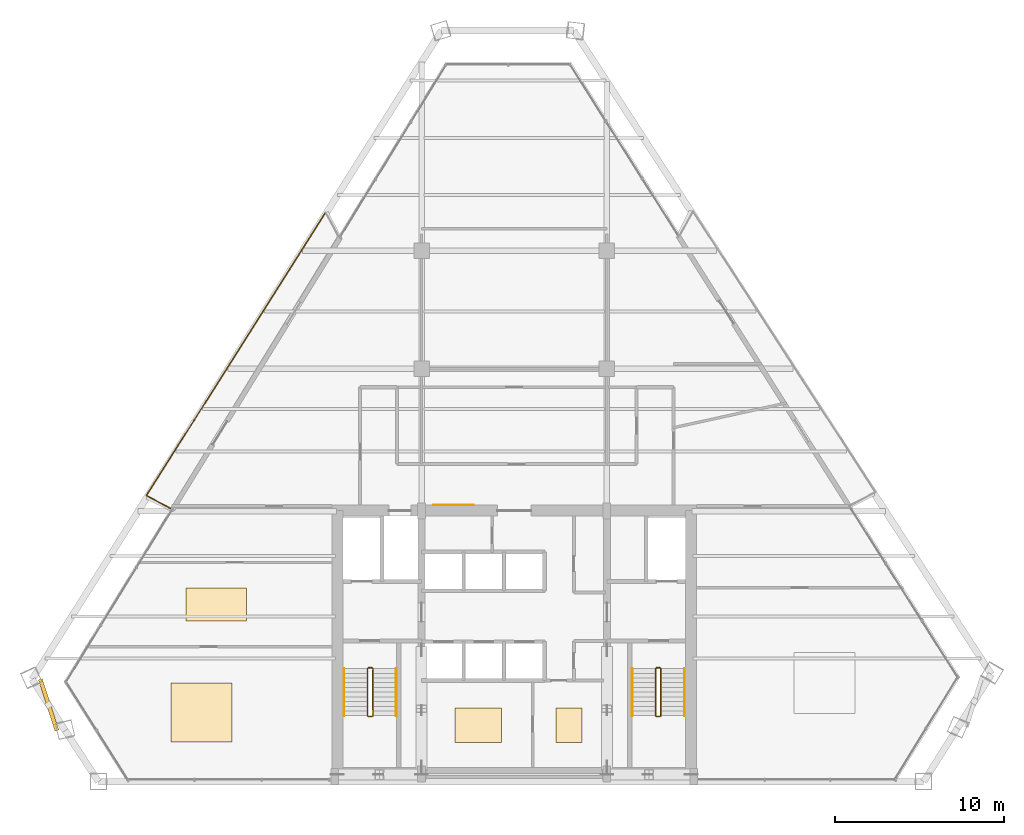
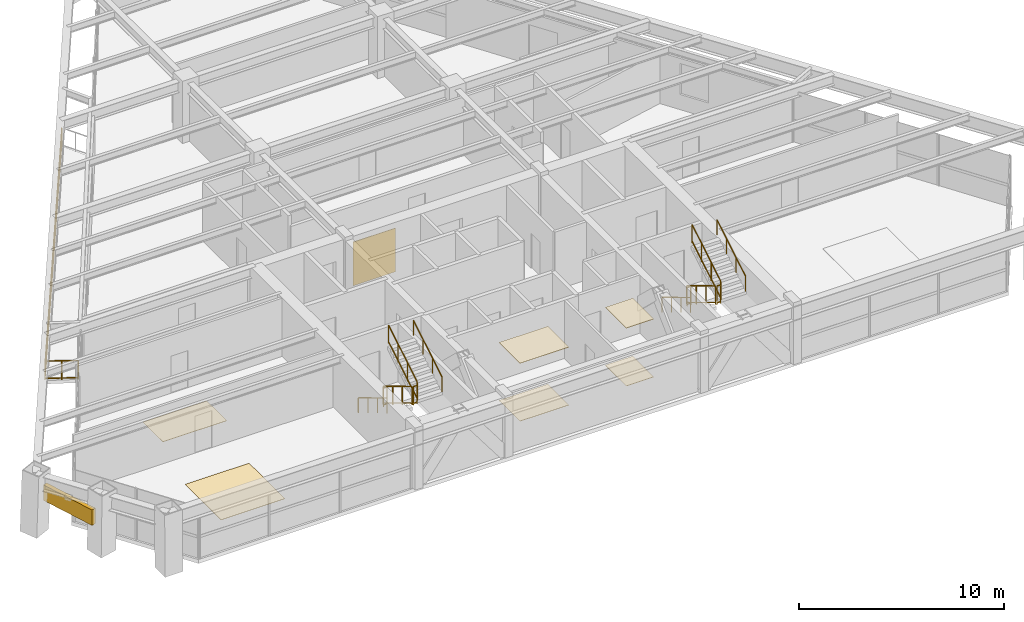
# One storey, part 14 of 15: 14 railings, 7 coverings, 1 shading device.
"""IFC4 building model written with IfcOpenShell, lengths in metres."""

from ifc_helpers import new_model, si_unit, direction, frame, origin, origin_2d, place, context, subcontext, project, spatial, rectangle, extrude, source, transform, mapped, material, layer, layer_set, type_object, type_shapes, element, save


model = new_model("IFC4")

# Units and contexts
model_context = context("Model", 3, precision=1e-05, world=origin(), true_north=direction((0.0, 1.0)))
body_context = subcontext(model_context, "Body", "Model", "MODEL_VIEW")
ifc_project = project(units=[si_unit("LENGTHUNIT", "METRE"), si_unit("AREAUNIT", "SQUARE_METRE"), si_unit("VOLUMEUNIT", "CUBIC_METRE"), si_unit("PLANEANGLEUNIT", "RADIAN"), si_unit("MASSUNIT", "GRAM", prefix="KILO")], contexts=[model_context])

# Site, building, storey
site_placement = place(None, origin())
site = spatial("IfcSite", under=ifc_project, at=site_placement, CompositionType="ELEMENT")
building_placement = place(site_placement, origin())
building = spatial("IfcBuilding", under=site, at=building_placement, Name="Varnakhor Terracotta Tower", CompositionType="ELEMENT")
storey_placement = place(building_placement, frame((0.0, 0.0, 193.199951171875)))
storey = spatial("IfcBuildingStorey", under=building, at=storey_placement, Name="L49", CompositionType="ELEMENT", Elevation=193.199951171875)

# Railings
ifc_material_1 = material(Name="Stainless Steel & Laminated Glass Guardrail", Category="steel")
railing_type_1 = type_object("IfcRailingType", Name="RLG-LOGGIA-GUARD-1150", PredefinedType="GUARDRAIL", material=ifc_material_1)
railing_1_placement = place(storey_placement, frame((-20.3896484375, 16.208251953125, 0.0)))
element("IfcRailing", 1, at=railing_1_placement, inside=storey, type_object=railing_type_1, Name="L49 W Loggia Glass Guard 1", PredefinedType="GUARDRAIL", context=body_context, shape_type="SweptSolid", body=[
    extrude(rectangle(XDim=0.048095703125, YDim=0.048095703125, at=origin_2d()), frame((0.0, 0.0, 1.1259765625), z_axis=(-0.882127897806, 0.471009948846, 0.0), x_axis=(-0.471009948846, -0.882127897806, 0.0)), (0.0, 0.0, 1.0), 1.622314453125),
    extrude(rectangle(XDim=0.048095703125, YDim=0.048095703125, at=origin_2d()), frame((0.0, 0.0, 0.10009765625), z_axis=(-0.882127897806, 0.471009948846, 0.0), x_axis=(-0.471009948846, -0.882127897806, 0.0)), (0.0, 0.0, 1.0), 1.622314453125),
    extrude(rectangle(XDim=0.0419921875, YDim=0.0419921875, at=origin_2d()), origin(), (0.0, 0.0, 1.0), 1.101806640625),
    extrude(rectangle(XDim=0.0419921875, YDim=0.0419921875, at=origin_2d()), frame((-0.715576171875, 0.382080078125, 0.0)), (0.0, 0.0, 1.0), 1.101806640625),
    extrude(rectangle(XDim=0.0419921875, YDim=0.0419921875, at=origin_2d()), frame((-1.43115234375, 0.76416015625, 0.0)), (0.0, 0.0, 1.0), 1.101806640625),
])
railing_2_placement = place(storey_placement, frame((-21.82080078125, 16.972412109375, 0.0)))
element("IfcRailing", 2, at=railing_2_placement, inside=storey, type_object=railing_type_1, Name="L49 W Loggia Glass Guard 2", PredefinedType="GUARDRAIL", context=body_context, shape_type="SweptSolid", body=[
    extrude(rectangle(XDim=0.048095703125, YDim=0.048095703125, at=origin_2d()), frame((0.0, 0.0, 1.1259765625), z_axis=(0.534940665573, 0.844889628482, 0.0), x_axis=(-0.844889628482, 0.534940665573, 0.0)), (0.0, 0.0, 1.0), 19.863037109375),
    extrude(rectangle(XDim=0.048095703125, YDim=0.048095703125, at=origin_2d()), frame((0.0, 0.0, 0.10009765625), z_axis=(0.534940665573, 0.844889628482, 0.0), x_axis=(-0.844889628482, 0.534940665573, 0.0)), (0.0, 0.0, 1.0), 19.863037109375),
    extrude(rectangle(XDim=0.0419921875, YDim=0.0419921875, at=origin_2d()), origin(), (0.0, 0.0, 1.0), 1.101806640625),
    extrude(rectangle(XDim=0.0419921875, YDim=0.0419921875, at=origin_2d()), frame((0.708251953125, 1.118896484375, 0.0)), (0.0, 0.0, 1.0), 1.101806640625),
    extrude(rectangle(XDim=0.0419921875, YDim=0.0419921875, at=origin_2d()), frame((1.416748046875, 2.237548828125, 0.0)), (0.0, 0.0, 1.0), 1.101806640625),
    extrude(rectangle(XDim=0.0419921875, YDim=0.0419921875, at=origin_2d()), frame((2.125, 3.3564453125, 0.0)), (0.0, 0.0, 1.0), 1.101806640625),
    extrude(rectangle(XDim=0.0419921875, YDim=0.0419921875, at=origin_2d()), frame((2.83349609375, 4.47509765625, 0.0)), (0.0, 0.0, 1.0), 1.101806640625),
    extrude(rectangle(XDim=0.0419921875, YDim=0.0419921875, at=origin_2d()), frame((3.541748046875, 5.593994140625, 0.0)), (0.0, 0.0, 1.0), 1.101806640625),
    extrude(rectangle(XDim=0.0419921875, YDim=0.0419921875, at=origin_2d()), frame((4.250244140625, 6.712890625, 0.0)), (0.0, 0.0, 1.0), 1.101806640625),
    extrude(rectangle(XDim=0.0419921875, YDim=0.0419921875, at=origin_2d()), frame((4.95849609375, 7.83154296875, 0.0)), (0.0, 0.0, 1.0), 1.101806640625),
    extrude(rectangle(XDim=0.0419921875, YDim=0.0419921875, at=origin_2d()), frame((5.6669921875, 8.950439453125, 0.0)), (0.0, 0.0, 1.0), 1.101806640625),
    extrude(rectangle(XDim=0.0419921875, YDim=0.0419921875, at=origin_2d()), frame((6.375244140625, 10.069091796875, 0.0)), (0.0, 0.0, 1.0), 1.101806640625),
    extrude(rectangle(XDim=0.0419921875, YDim=0.0419921875, at=origin_2d()), frame((7.083740234375, 11.18798828125, 0.0)), (0.0, 0.0, 1.0), 1.101806640625),
    extrude(rectangle(XDim=0.0419921875, YDim=0.0419921875, at=origin_2d()), frame((7.7919921875, 12.306884765625, 0.0)), (0.0, 0.0, 1.0), 1.101806640625),
    extrude(rectangle(XDim=0.0419921875, YDim=0.0419921875, at=origin_2d()), frame((8.50048828125, 13.425537109375, 0.0)), (0.0, 0.0, 1.0), 1.101806640625),
    extrude(rectangle(XDim=0.0419921875, YDim=0.0419921875, at=origin_2d()), frame((9.208740234375, 14.54443359375, 0.0)), (0.0, 0.0, 1.0), 1.101806640625),
    extrude(rectangle(XDim=0.0419921875, YDim=0.0419921875, at=origin_2d()), frame((9.917236328125, 15.6630859375, 0.0)), (0.0, 0.0, 1.0), 1.101806640625),
    extrude(rectangle(XDim=0.0419921875, YDim=0.0419921875, at=origin_2d()), frame((10.62548828125, 16.781982421875, 0.0)), (0.0, 0.0, 1.0), 1.101806640625),
])
ifc_material_2 = material(Name="Painted Steel Stairwell Guardrail", Category="steel")
railing_type_2 = type_object("IfcRailingType", Name="RLG-STAIR-GUARD-1120", PredefinedType="GUARDRAIL", material=ifc_material_2)
railing_3_placement = place(storey_placement, frame((-8.699951171875, 6.7099609375, 0.168212890625)))
element("IfcRailing", 3, at=railing_3_placement, inside=storey, type_object=railing_type_2, Name="L49 ST-1 stair guard 1", PredefinedType="GUARDRAIL", context=body_context, shape_type="SweptSolid", body=[
    extrude(rectangle(XDim=0.048095703125, YDim=0.048095703125, at=origin_2d()), frame((0.0, 0.0, 1.09619140625), z_axis=(0.0, -0.857242210791, 0.514913383045), x_axis=(1.0, 0.0, 0.0)), (0.0, 0.0, 1.0), 3.266357421875),
    extrude(rectangle(XDim=0.048095703125, YDim=0.048095703125, at=origin_2d()), frame((0.0, 0.0, 0.10009765625), z_axis=(0.0, -0.857242210791, 0.514913383045), x_axis=(1.0, 0.0, 0.0)), (0.0, 0.0, 1.0), 3.266357421875),
    extrude(rectangle(XDim=0.0419921875, YDim=0.0419921875, at=origin_2d()), origin(), (0.0, 0.0, 1.0), 1.072021484375),
    extrude(rectangle(XDim=0.0419921875, YDim=0.0419921875, at=origin_2d()), frame((0.0, -0.933349609375, 0.560546875)), (0.0, 0.0, 1.0), 1.072021484375),
    extrude(rectangle(XDim=0.0419921875, YDim=0.0419921875, at=origin_2d()), frame((0.0, -1.86669921875, 1.121337890625)), (0.0, 0.0, 1.0), 1.072021484375),
    extrude(rectangle(XDim=0.0419921875, YDim=0.0419921875, at=origin_2d()), frame((0.0, -2.800048828125, 1.681884765625)), (0.0, 0.0, 1.0), 1.072021484375),
])
railing_4_placement = place(storey_placement, frame((-8.64990234375, 3.860107421875, 1.85009765625)))
element("IfcRailing", 4, at=railing_4_placement, inside=storey, type_object=railing_type_2, Name="L49 ST-1 stair guard 2", PredefinedType="GUARDRAIL", context=body_context, shape_type="SweptSolid", body=[
    extrude(rectangle(XDim=0.048095703125, YDim=0.048095703125, at=origin_2d()), frame((0.0, 0.0, 1.09619140625), z_axis=(1.0, 0.0, 0.0), x_axis=(0.0, 1.0, 0.0)), (0.0, 0.0, 1.0), 0.199951171875),
    extrude(rectangle(XDim=0.048095703125, YDim=0.048095703125, at=origin_2d()), frame((0.0, 0.0, 0.10009765625), z_axis=(1.0, 0.0, 0.0), x_axis=(0.0, 1.0, 0.0)), (0.0, 0.0, 1.0), 0.199951171875),
    extrude(rectangle(XDim=0.0419921875, YDim=0.0419921875, at=origin_2d()), origin(), (0.0, 0.0, 1.0), 1.072021484375),
    extrude(rectangle(XDim=0.0419921875, YDim=0.0419921875, at=origin_2d()), frame((0.199951171875, 0.0, 0.0)), (0.0, 0.0, 1.0), 1.072021484375),
])
railing_5_placement = place(storey_placement, frame((-8.39990234375, 3.909912109375, 2.018310546875)))
element("IfcRailing", 5, at=railing_5_placement, inside=storey, type_object=railing_type_2, Name="L49 ST-1 stair guard 3", PredefinedType="GUARDRAIL", context=body_context, shape_type="SweptSolid", body=[
    extrude(rectangle(XDim=0.048095703125, YDim=0.048095703125, at=origin_2d()), frame((0.0, 0.0, 1.09619140625), z_axis=(0.0, 0.857275202839, 0.514858452973), x_axis=(-1.0, 0.0, 0.0)), (0.0, 0.0, 1.0), 3.26611328125),
    extrude(rectangle(XDim=0.048095703125, YDim=0.048095703125, at=origin_2d()), frame((0.0, 0.0, 0.10009765625), z_axis=(0.0, 0.857275202839, 0.514858452973), x_axis=(-1.0, 0.0, 0.0)), (0.0, 0.0, 1.0), 3.26611328125),
    extrude(rectangle(XDim=0.0419921875, YDim=0.0419921875, at=origin_2d()), origin(), (0.0, 0.0, 1.0), 1.072021484375),
    extrude(rectangle(XDim=0.0419921875, YDim=0.0419921875, at=origin_2d()), frame((0.0, 0.933349609375, 0.560546875)), (0.0, 0.0, 1.0), 1.072021484375),
    extrude(rectangle(XDim=0.0419921875, YDim=0.0419921875, at=origin_2d()), frame((0.0, 1.86669921875, 1.12109375)), (0.0, 0.0, 1.0), 1.072021484375),
    extrude(rectangle(XDim=0.0419921875, YDim=0.0419921875, at=origin_2d()), frame((0.0, 2.800048828125, 1.681640625)), (0.0, 0.0, 1.0), 1.072021484375),
])
railing_6_placement = place(storey_placement, frame((-8.64990234375, 6.760009765625, 0.0)))
element("IfcRailing", 6, at=railing_6_placement, inside=storey, type_object=railing_type_2, Name="L49 ST-1 stair guard 4", PredefinedType="GUARDRAIL", context=body_context, shape_type="SweptSolid", body=[
    extrude(rectangle(XDim=0.048095703125, YDim=0.048095703125, at=origin_2d()), frame((0.0, 0.0, 1.09619140625), z_axis=(1.0, 0.0, 0.0), x_axis=(0.0, 1.0, 0.0)), (0.0, 0.0, 1.0), 0.199951171875),
    extrude(rectangle(XDim=0.048095703125, YDim=0.048095703125, at=origin_2d()), frame((0.0, 0.0, 0.10009765625), z_axis=(1.0, 0.0, 0.0), x_axis=(0.0, 1.0, 0.0)), (0.0, 0.0, 1.0), 0.199951171875),
    extrude(rectangle(XDim=0.0419921875, YDim=0.0419921875, at=origin_2d()), origin(), (0.0, 0.0, 1.0), 1.072021484375),
    extrude(rectangle(XDim=0.0419921875, YDim=0.0419921875, at=origin_2d()), frame((0.199951171875, 0.0, 0.0)), (0.0, 0.0, 1.0), 1.072021484375),
])
railing_7_placement = place(storey_placement, frame((8.39990234375, 6.7099609375, 0.168212890625)))
element("IfcRailing", 7, at=railing_7_placement, inside=storey, type_object=railing_type_2, Name="L49 ST-2 stair guard 1", PredefinedType="GUARDRAIL", context=body_context, shape_type="SweptSolid", body=[
    extrude(rectangle(XDim=0.048095703125, YDim=0.048095703125, at=origin_2d()), frame((0.0, 0.0, 1.09619140625), z_axis=(0.0, -0.857242210791, 0.514913383045), x_axis=(1.0, 0.0, 0.0)), (0.0, 0.0, 1.0), 3.266357421875),
    extrude(rectangle(XDim=0.048095703125, YDim=0.048095703125, at=origin_2d()), frame((0.0, 0.0, 0.10009765625), z_axis=(0.0, -0.857242210791, 0.514913383045), x_axis=(1.0, 0.0, 0.0)), (0.0, 0.0, 1.0), 3.266357421875),
    extrude(rectangle(XDim=0.0419921875, YDim=0.0419921875, at=origin_2d()), origin(), (0.0, 0.0, 1.0), 1.072021484375),
    extrude(rectangle(XDim=0.0419921875, YDim=0.0419921875, at=origin_2d()), frame((0.0, -0.933349609375, 0.560546875)), (0.0, 0.0, 1.0), 1.072021484375),
    extrude(rectangle(XDim=0.0419921875, YDim=0.0419921875, at=origin_2d()), frame((0.0, -1.86669921875, 1.121337890625)), (0.0, 0.0, 1.0), 1.072021484375),
    extrude(rectangle(XDim=0.0419921875, YDim=0.0419921875, at=origin_2d()), frame((0.0, -2.800048828125, 1.681884765625)), (0.0, 0.0, 1.0), 1.072021484375),
])
railing_8_placement = place(storey_placement, frame((8.449951171875, 3.860107421875, 1.85009765625)))
element("IfcRailing", 8, at=railing_8_placement, inside=storey, type_object=railing_type_2, Name="L49 ST-2 stair guard 2", PredefinedType="GUARDRAIL", context=body_context, shape_type="SweptSolid", body=[
    extrude(rectangle(XDim=0.048095703125, YDim=0.048095703125, at=origin_2d()), frame((0.0, 0.0, 1.09619140625), z_axis=(1.0, 0.0, 0.0), x_axis=(0.0, 1.0, 0.0)), (0.0, 0.0, 1.0), 0.199951171875),
    extrude(rectangle(XDim=0.048095703125, YDim=0.048095703125, at=origin_2d()), frame((0.0, 0.0, 0.10009765625), z_axis=(1.0, 0.0, 0.0), x_axis=(0.0, 1.0, 0.0)), (0.0, 0.0, 1.0), 0.199951171875),
    extrude(rectangle(XDim=0.0419921875, YDim=0.0419921875, at=origin_2d()), origin(), (0.0, 0.0, 1.0), 1.072021484375),
    extrude(rectangle(XDim=0.0419921875, YDim=0.0419921875, at=origin_2d()), frame((0.199951171875, 0.0, 0.0)), (0.0, 0.0, 1.0), 1.072021484375),
])
railing_9_placement = place(storey_placement, frame((8.699951171875, 3.909912109375, 2.018310546875)))
element("IfcRailing", 9, at=railing_9_placement, inside=storey, type_object=railing_type_2, Name="L49 ST-2 stair guard 3", PredefinedType="GUARDRAIL", context=body_context, shape_type="SweptSolid", body=[
    extrude(rectangle(XDim=0.048095703125, YDim=0.048095703125, at=origin_2d()), frame((0.0, 0.0, 1.09619140625), z_axis=(0.0, 0.857275202839, 0.514858452973), x_axis=(-1.0, 0.0, 0.0)), (0.0, 0.0, 1.0), 3.26611328125),
    extrude(rectangle(XDim=0.048095703125, YDim=0.048095703125, at=origin_2d()), frame((0.0, 0.0, 0.10009765625), z_axis=(0.0, 0.857275202839, 0.514858452973), x_axis=(-1.0, 0.0, 0.0)), (0.0, 0.0, 1.0), 3.26611328125),
    extrude(rectangle(XDim=0.0419921875, YDim=0.0419921875, at=origin_2d()), origin(), (0.0, 0.0, 1.0), 1.072021484375),
    extrude(rectangle(XDim=0.0419921875, YDim=0.0419921875, at=origin_2d()), frame((0.0, 0.933349609375, 0.560546875)), (0.0, 0.0, 1.0), 1.072021484375),
    extrude(rectangle(XDim=0.0419921875, YDim=0.0419921875, at=origin_2d()), frame((0.0, 1.86669921875, 1.12109375)), (0.0, 0.0, 1.0), 1.072021484375),
    extrude(rectangle(XDim=0.0419921875, YDim=0.0419921875, at=origin_2d()), frame((0.0, 2.800048828125, 1.681640625)), (0.0, 0.0, 1.0), 1.072021484375),
])
railing_10_placement = place(storey_placement, frame((8.449951171875, 6.760009765625, 0.0)))
element("IfcRailing", 10, at=railing_10_placement, inside=storey, type_object=railing_type_2, Name="L49 ST-2 stair guard 4", PredefinedType="GUARDRAIL", context=body_context, shape_type="SweptSolid", body=[
    extrude(rectangle(XDim=0.048095703125, YDim=0.048095703125, at=origin_2d()), frame((0.0, 0.0, 1.09619140625), z_axis=(1.0, 0.0, 0.0), x_axis=(0.0, 1.0, 0.0)), (0.0, 0.0, 1.0), 0.199951171875),
    extrude(rectangle(XDim=0.048095703125, YDim=0.048095703125, at=origin_2d()), frame((0.0, 0.0, 0.10009765625), z_axis=(1.0, 0.0, 0.0), x_axis=(0.0, 1.0, 0.0)), (0.0, 0.0, 1.0), 0.199951171875),
    extrude(rectangle(XDim=0.0419921875, YDim=0.0419921875, at=origin_2d()), origin(), (0.0, 0.0, 1.0), 1.072021484375),
    extrude(rectangle(XDim=0.0419921875, YDim=0.0419921875, at=origin_2d()), frame((0.199951171875, 0.0, 0.0)), (0.0, 0.0, 1.0), 1.072021484375),
])
ifc_material_3 = material(Name="Brushed Stainless Steel Handrail", Category="steel")
railing_type_3 = type_object("IfcRailingType", Name="RLG-STAIR-HANDRAIL-920", PredefinedType="HANDRAIL", material=ifc_material_3)
railing_11_placement = place(storey_placement, frame((-10.10009765625, 6.7099609375, 0.168212890625)))
element("IfcRailing", 11, at=railing_11_placement, inside=storey, type_object=railing_type_3, Name="L49 ST-1 stair handrail 1", PredefinedType="HANDRAIL", context=body_context, shape_type="SweptSolid", body=[
    extrude(rectangle(XDim=0.048095703125, YDim=0.048095703125, at=origin_2d()), frame((0.0, 0.0, 0.89599609375), z_axis=(0.0, -0.857242210791, 0.514913383045), x_axis=(1.0, 0.0, 0.0)), (0.0, 0.0, 1.0), 3.266357421875),
    extrude(rectangle(XDim=0.0419921875, YDim=0.0419921875, at=origin_2d()), origin(), (0.0, 0.0, 1.0), 0.871826171875),
    extrude(rectangle(XDim=0.0419921875, YDim=0.0419921875, at=origin_2d()), frame((0.0, -0.933349609375, 0.560546875)), (0.0, 0.0, 1.0), 0.871826171875),
    extrude(rectangle(XDim=0.0419921875, YDim=0.0419921875, at=origin_2d()), frame((0.0, -1.86669921875, 1.121337890625)), (0.0, 0.0, 1.0), 0.871826171875),
    extrude(rectangle(XDim=0.0419921875, YDim=0.0419921875, at=origin_2d()), frame((0.0, -2.800048828125, 1.681884765625)), (0.0, 0.0, 1.0), 0.871826171875),
])
railing_12_placement = place(storey_placement, frame((-7.0, 3.909912109375, 2.018310546875)))
element("IfcRailing", 12, at=railing_12_placement, inside=storey, type_object=railing_type_3, Name="L49 ST-1 stair handrail 2", PredefinedType="HANDRAIL", context=body_context, shape_type="SweptSolid", body=[
    extrude(rectangle(XDim=0.048095703125, YDim=0.048095703125, at=origin_2d()), frame((0.0, 0.0, 0.89599609375), z_axis=(0.0, 0.857275202839, 0.514858452973), x_axis=(-1.0, 0.0, 0.0)), (0.0, 0.0, 1.0), 3.26611328125),
    extrude(rectangle(XDim=0.0419921875, YDim=0.0419921875, at=origin_2d()), origin(), (0.0, 0.0, 1.0), 0.871826171875),
    extrude(rectangle(XDim=0.0419921875, YDim=0.0419921875, at=origin_2d()), frame((0.0, 0.933349609375, 0.560546875)), (0.0, 0.0, 1.0), 0.871826171875),
    extrude(rectangle(XDim=0.0419921875, YDim=0.0419921875, at=origin_2d()), frame((0.0, 1.86669921875, 1.12109375)), (0.0, 0.0, 1.0), 0.871826171875),
    extrude(rectangle(XDim=0.0419921875, YDim=0.0419921875, at=origin_2d()), frame((0.0, 2.800048828125, 1.681640625)), (0.0, 0.0, 1.0), 0.871826171875),
])
railing_13_placement = place(storey_placement, frame((7.0, 6.7099609375, 0.168212890625)))
element("IfcRailing", 13, at=railing_13_placement, inside=storey, type_object=railing_type_3, Name="L49 ST-2 stair handrail 1", PredefinedType="HANDRAIL", context=body_context, shape_type="SweptSolid", body=[
    extrude(rectangle(XDim=0.048095703125, YDim=0.048095703125, at=origin_2d()), frame((0.0, 0.0, 0.89599609375), z_axis=(0.0, -0.857242210791, 0.514913383045), x_axis=(1.0, 0.0, 0.0)), (0.0, 0.0, 1.0), 3.266357421875),
    extrude(rectangle(XDim=0.0419921875, YDim=0.0419921875, at=origin_2d()), origin(), (0.0, 0.0, 1.0), 0.871826171875),
    extrude(rectangle(XDim=0.0419921875, YDim=0.0419921875, at=origin_2d()), frame((0.0, -0.933349609375, 0.560546875)), (0.0, 0.0, 1.0), 0.871826171875),
    extrude(rectangle(XDim=0.0419921875, YDim=0.0419921875, at=origin_2d()), frame((0.0, -1.86669921875, 1.121337890625)), (0.0, 0.0, 1.0), 0.871826171875),
    extrude(rectangle(XDim=0.0419921875, YDim=0.0419921875, at=origin_2d()), frame((0.0, -2.800048828125, 1.681884765625)), (0.0, 0.0, 1.0), 0.871826171875),
])
railing_14_placement = place(storey_placement, frame((10.10009765625, 3.909912109375, 2.018310546875)))
element("IfcRailing", 14, at=railing_14_placement, inside=storey, type_object=railing_type_3, Name="L49 ST-2 stair handrail 2", PredefinedType="HANDRAIL", context=body_context, shape_type="SweptSolid", body=[
    extrude(rectangle(XDim=0.048095703125, YDim=0.048095703125, at=origin_2d()), frame((0.0, 0.0, 0.89599609375), z_axis=(0.0, 0.857275202839, 0.514858452973), x_axis=(-1.0, 0.0, 0.0)), (0.0, 0.0, 1.0), 3.26611328125),
    extrude(rectangle(XDim=0.0419921875, YDim=0.0419921875, at=origin_2d()), origin(), (0.0, 0.0, 1.0), 0.871826171875),
    extrude(rectangle(XDim=0.0419921875, YDim=0.0419921875, at=origin_2d()), frame((0.0, 0.933349609375, 0.560546875)), (0.0, 0.0, 1.0), 0.871826171875),
    extrude(rectangle(XDim=0.0419921875, YDim=0.0419921875, at=origin_2d()), frame((0.0, 1.86669921875, 1.12109375)), (0.0, 0.0, 1.0), 0.871826171875),
    extrude(rectangle(XDim=0.0419921875, YDim=0.0419921875, at=origin_2d()), frame((0.0, 2.800048828125, 1.681640625)), (0.0, 0.0, 1.0), 0.871826171875),
])

# Shading device
ifc_material_4 = material(Name="Extruded Architectural Terracotta Screen", Category="masonry")
shading_device_type = type_object("IfcShadingDeviceType", Name="TERRACOTTA SOLAR SCREEN W", PredefinedType="USERDEFINED", material=ifc_material_4)
shared_shape_1 = source(origin(), body_context, "Body", "SweptSolid", [
    extrude(rectangle(XDim=3.199951171875, YDim=0.239990234375, at=origin_2d()), origin(), (0.0, 0.0, 1.0), 0.919921875),
])
type_shapes(shading_device_type, [shared_shape_1])
shading_device_placement = place(storey_placement, frame((-27.62353515625, 4.55078125, 1.710205078125), z_axis=(0.0, 0.0, 1.0), x_axis=(0.30846917392, -0.951234339551, 0.0)))
element("IfcShadingDevice", 15, at=shading_device_placement, inside=storey, type_object=shading_device_type, Name="L49 W Terracotta Solar Screen", ObjectType="SCREEN", PredefinedType="USERDEFINED", context=body_context, shape_type="MappedRepresentation", body=[
    mapped(shared_shape_1, transform((0.0, 0.0, 0.0), scale=1.0)),
])

# Coverings
ifc_material_5 = material(Name="Extruded Architectural Terracotta Cladding", Category="masonry")
ifc_layer_1 = layer(ifc_material_5, 0.044921875, Name="Extruded Architectural Terracotta Cladding")
ifc_layer_set_1 = layer_set([ifc_layer_1], Name="Extruded Architectural Terracotta Cladding")
covering_type_1 = type_object("IfcCoveringType", Name="COV-CLAD-TERRACOTTA", PredefinedType="CLADDING", material=ifc_layer_set_1)
shared_shape_2 = source(origin(), body_context, "Body", "SweptSolid", [
    extrude(rectangle(XDim=2.39990234375, YDim=0.030029296875, at=origin_2d()), origin(), (0.0, 0.0, 1.0), 2.60009765625),
])
type_shapes(covering_type_1, [shared_shape_2])
covering_1_placement = place(storey_placement, frame((-3.60009765625, 16.412109375, 0.0), z_axis=(0.0, 0.0, 1.0), x_axis=(1.0, 0.0, 0.0)))
element("IfcCovering", 16, at=covering_1_placement, inside=storey, type_object=covering_type_1, Name="L49 Core Lobby Limestone Cladding", PredefinedType="CLADDING", context=body_context, shape_type="MappedRepresentation", body=[
    mapped(shared_shape_2, transform((0.0, 0.0, 0.0), scale=1.0)),
])
ifc_material_6 = material(Name="Honed Riyadh Limestone Flooring", Category="masonry")
ifc_layer_2 = layer(ifc_material_6, 0.030029296875, Name="Honed Riyadh Limestone Flooring")
ifc_layer_set_2 = layer_set([ifc_layer_2], Name="Honed Riyadh Limestone Flooring")
covering_type_2 = type_object("IfcCoveringType", Name="COV-FLOOR-LIMESTONE", PredefinedType="FLOORING", material=ifc_layer_set_2)
shared_shape_3 = source(origin(), body_context, "Body", "SweptSolid", [
    extrude(rectangle(XDim=3.60009765625, YDim=1.950927734375, at=origin_2d()), origin(), (0.0, 0.0, 1.0), 0.02001953125),
])
covering_2_placement = place(storey_placement, frame((-17.68798828125, 10.5, 0.0), z_axis=(0.0, 0.0, 1.0), x_axis=(1.0, 0.0, 0.0)))
element("IfcCovering", 17, at=covering_2_placement, inside=storey, type_object=covering_type_2, Name="L49 Honed Stone Flooring 5", PredefinedType="FLOORING", context=body_context, shape_type="MappedRepresentation", body=[
    mapped(shared_shape_3, transform((0.0, 0.0, 0.0), scale=1.0)),
])
shared_shape_4 = source(origin(), body_context, "Body", "SweptSolid", [
    extrude(rectangle(XDim=2.75, YDim=2.041015625, at=origin_2d()), origin(), (0.0, 0.0, 1.0), 0.02001953125),
])
covering_3_placement = place(storey_placement, frame((-2.139892578125, 3.35498046875, 0.0), z_axis=(0.0, 0.0, 1.0), x_axis=(1.0, 0.0, 0.0)))
element("IfcCovering", 18, at=covering_3_placement, inside=storey, type_object=covering_type_2, Name="L49 Honed Stone Flooring 1", PredefinedType="FLOORING", context=body_context, shape_type="MappedRepresentation", body=[
    mapped(shared_shape_4, transform((0.0, 0.0, 0.0), scale=1.0)),
])
ifc_material_7 = material(Name="Perforated Acoustic Mineral-Fibre Ceiling", Category="gypsum")
ifc_layer_3 = layer(ifc_material_7, 0.02490234375, Name="Perforated Acoustic Mineral-Fibre Ceiling")
ifc_layer_set_3 = layer_set([ifc_layer_3], Name="Perforated Acoustic Mineral-Fibre Ceiling")
covering_type_3 = type_object("IfcCoveringType", Name="COV-CEILING-ACOUSTIC", PredefinedType="CEILING", material=ifc_layer_set_3)
shared_shape_5 = source(origin(), body_context, "Body", "SweptSolid", [
    extrude(rectangle(XDim=2.75, YDim=2.041015625, at=origin_2d()), origin(), (0.0, 0.0, 1.0), 0.02392578125),
])
covering_4_placement = place(storey_placement, frame((-2.139892578125, 3.35498046875, 3.446044921875), z_axis=(0.0, 0.0, 1.0), x_axis=(1.0, 0.0, 0.0)))
element("IfcCovering", 19, at=covering_4_placement, inside=storey, type_object=covering_type_3, Name="L49 Acoustic Ceiling Panel 1", PredefinedType="CEILING", context=body_context, shape_type="MappedRepresentation", body=[
    mapped(shared_shape_5, transform((0.0, 0.0, 0.0), scale=1.0)),
])
shared_shape_6 = source(origin(), body_context, "Body", "SweptSolid", [
    extrude(rectangle(XDim=1.5400390625, YDim=2.041015625, at=origin_2d()), origin(), (0.0, 0.0, 1.0), 0.02001953125),
])
covering_5_placement = place(storey_placement, frame((3.239990234375, 3.35498046875, 0.0), z_axis=(0.0, 0.0, 1.0), x_axis=(1.0, 0.0, 0.0)))
element("IfcCovering", 20, at=covering_5_placement, inside=storey, type_object=covering_type_2, Name="L49 Honed Stone Flooring 2", PredefinedType="FLOORING", context=body_context, shape_type="MappedRepresentation", body=[
    mapped(shared_shape_6, transform((0.0, 0.0, 0.0), scale=1.0)),
])
shared_shape_7 = source(origin(), body_context, "Body", "SweptSolid", [
    extrude(rectangle(XDim=1.5400390625, YDim=2.041015625, at=origin_2d()), origin(), (0.0, 0.0, 1.0), 0.02392578125),
])
covering_6_placement = place(storey_placement, frame((3.239990234375, 3.35498046875, 3.446044921875), z_axis=(0.0, 0.0, 1.0), x_axis=(1.0, 0.0, 0.0)))
element("IfcCovering", 21, at=covering_6_placement, inside=storey, type_object=covering_type_3, Name="L49 Acoustic Ceiling Panel 2", PredefinedType="CEILING", context=body_context, shape_type="MappedRepresentation", body=[
    mapped(shared_shape_7, transform((0.0, 0.0, 0.0), scale=1.0)),
])
shared_shape_8 = source(origin(), body_context, "Body", "SweptSolid", [
    extrude(rectangle(XDim=3.60009765625, YDim=3.489013671875, at=origin_2d()), origin(), (0.0, 0.0, 1.0), 0.02001953125),
])
covering_7_placement = place(storey_placement, frame((-18.550048828125, 4.10205078125, 0.0), z_axis=(0.0, 0.0, 1.0), x_axis=(1.0, 0.0, 0.0)))
element("IfcCovering", 22, at=covering_7_placement, inside=storey, type_object=covering_type_2, Name="L49 Honed Stone Flooring 3", PredefinedType="FLOORING", context=body_context, shape_type="MappedRepresentation", body=[
    mapped(shared_shape_8, transform((0.0, 0.0, 0.0), scale=1.0)),
])

save(model, "model.ifc")
